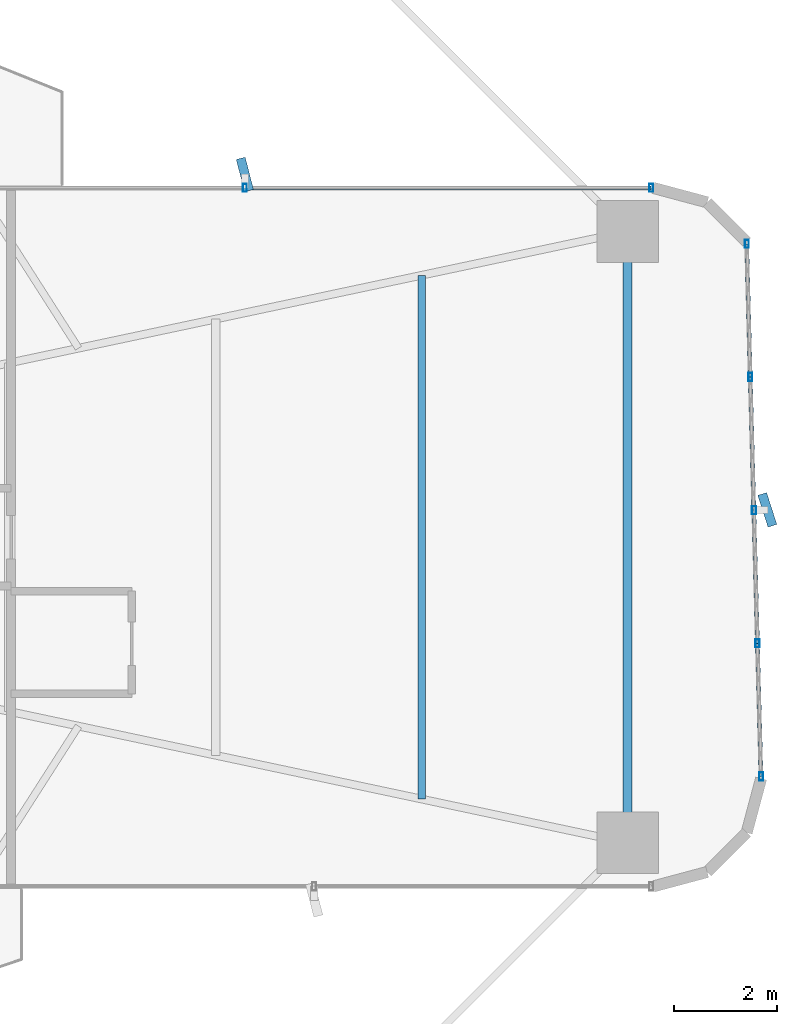
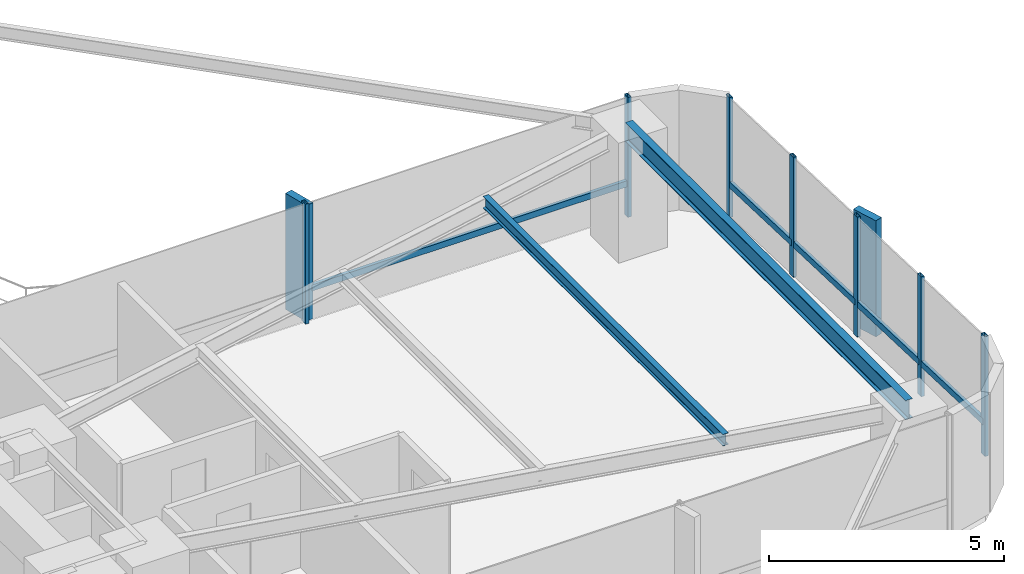
# One storey, part 16 of 25: 14 members, 2 beams, 2 elements without a shape of their own.
"""IFC4 building model written with IfcOpenShell, lengths in metres."""

from ifc_helpers import new_model, si_unit, direction, frame, origin, origin_2d, place, context, subcontext, project, spatial, rectangle, hollow_rectangle, i_section, extrude, source, transform, mapped, material, material_profile, profile_set, type_object, element, aggregate, save


model = new_model("IFC4")

# Units and contexts
model_context = context("Model", 3, precision=1e-05, world=origin(), true_north=direction((0.0, 1.0)))
body_context = subcontext(model_context, "Body", "Model", "MODEL_VIEW")
ifc_project = project(units=[si_unit("LENGTHUNIT", "METRE"), si_unit("AREAUNIT", "SQUARE_METRE"), si_unit("VOLUMEUNIT", "CUBIC_METRE"), si_unit("PLANEANGLEUNIT", "RADIAN"), si_unit("MASSUNIT", "GRAM", prefix="KILO")], contexts=[model_context])

# Site, building, storey
site_placement = place(None, origin())
site = spatial("IfcSite", under=ifc_project, at=site_placement, CompositionType="ELEMENT")
building_placement = place(site_placement, origin())
building = spatial("IfcBuilding", under=site, at=building_placement, Name="Sahyath Konkavel Grand Hotel", CompositionType="ELEMENT")
storey_placement = place(building_placement, frame((0.0, 0.0, 54.39990234375)))
storey = spatial("IfcBuildingStorey", under=building, at=storey_placement, Name="L14", CompositionType="ELEMENT", Elevation=54.39990234375)

# Beams
ifc_material_1 = material(Name="Steel E350", Category="steel")
ifc_material_profile_1 = material_profile(ifc_material_1, i_section(OverallWidth=0.179931640625, OverallDepth=0.5, WebThickness=0.01025390625, FlangeThickness=0.01708984375, FilletRadius=0.01708984375, at=origin_2d()), Name="ISMB 500")
ifc_profile_set_1 = profile_set([ifc_material_profile_1], Name="Steel E350")
beam_type_1 = type_object("IfcBeamType", Name="BM-ISMB500", PredefinedType="BEAM", material=ifc_profile_set_1)
shared_shape_1 = source(origin(), body_context, "Body", "SweptSolid", [
    extrude(i_section(OverallWidth=0.179931640625, OverallDepth=0.5, WebThickness=0.01025390625, FlangeThickness=0.01708984375, FilletRadius=0.01708984375, at=origin_2d()), origin(), (0.0, 0.0, 1.0), 11.89990234375),
])
beam_1_placement = place(storey_placement, frame((22.199951171875, -5.949951171875, 2.860107421875), z_axis=(0.0, 1.0, 0.0), x_axis=(-1.0, 0.0, 0.0)))
element("IfcBeam", 1, at=beam_1_placement, inside=storey, type_object=beam_type_1, Name="L14 Wing Tip Edge Beam E", PredefinedType="BEAM", context=body_context, shape_type="MappedRepresentation", body=[
    mapped(shared_shape_1, transform((0.0, 0.0, 0.0), scale=1.0)),
])
ifc_material_profile_2 = material_profile(ifc_material_1, i_section(OverallWidth=0.139892578125, OverallDepth=0.300048828125, WebThickness=0.0078125, FlangeThickness=0.01318359375, FilletRadius=0.013916015625, at=origin_2d()), Name="ISMB 300")
ifc_profile_set_2 = profile_set([ifc_material_profile_2], Name="Steel E350")
beam_type_2 = type_object("IfcBeamType", Name="BM-ISMB300", PredefinedType="BEAM", material=ifc_profile_set_2)
shared_shape_2 = source(origin(), body_context, "Body", "SweptSolid", [
    extrude(i_section(OverallWidth=0.139892578125, OverallDepth=0.300048828125, WebThickness=0.0078125, FlangeThickness=0.01318359375, FilletRadius=0.013916015625, at=origin_2d()), origin(), (0.0, 0.0, 1.0), 10.19580078125),
])
beam_2_placement = place(storey_placement, frame((18.19189453125, -5.097900390625, 2.960205078125), z_axis=(0.0, 1.0, 0.0), x_axis=(-1.0, 0.0, 0.0)))
element("IfcBeam", 2, at=beam_2_placement, inside=storey, type_object=beam_type_2, Name="L14 Secondary Floor Beam E-3", PredefinedType="BEAM", context=body_context, shape_type="MappedRepresentation", body=[
    mapped(shared_shape_2, transform((0.0, 0.0, 0.0), scale=1.0)),
])

# Curtain wall, member
ifc_material_2 = material(Name="Anodised Bronze Aluminium & Low-E Glazing", Category="aluminium")
curtain_wall_type = type_object("IfcCurtainWallType", Name="CW-ZONE1", PredefinedType="NOTDEFINED", material=ifc_material_2)
curtain_wall_1_placement = place(storey_placement, origin())
curtain_wall_1 = element("IfcCurtainWall", 3, at=curtain_wall_1_placement, inside=storey, type_object=curtain_wall_type, Name="L14 Unitised Curtain Wall F4", PredefinedType="NOTDEFINED")
ifc_material_3 = material(Name="Warm Buff Sandstone Cladding on Concrete C50/60", Category="masonry")
ifc_material_profile_3 = material_profile(ifc_material_3, rectangle(XDim=0.179931640625, YDim=0.64990234375, at=origin_2d()), Name="FIN 180x650")
ifc_profile_set_3 = profile_set([ifc_material_profile_3], Name="Warm Buff Sandstone Cladding on Concrete C50/60")
member_type_1 = type_object("IfcMemberType", Name="FIN-SANDSTONE-650", PredefinedType="MULLION", material=ifc_profile_set_3)
shared_shape_3 = source(origin(), body_context, "Body", "SweptSolid", [
    extrude(rectangle(XDim=0.179931640625, YDim=0.64990234375, at=origin_2d()), origin(), (0.0, 0.0, 1.0), 3.010009765625),
])
member_1_placement = place(storey_placement, frame((24.919189453125, 0.531982421875, 0.050048828125), z_axis=(0.0, 0.0, 1.0), x_axis=(0.952022626946, 0.306027642189, 0.0)))
member_1 = element("IfcMember", 4, at=member_1_placement, type_object=member_type_1, Name="L14 Sandstone Vertical Solar Fin FIN F4-2", PredefinedType="MULLION", context=body_context, shape_type="MappedRepresentation", body=[
    mapped(shared_shape_3, transform((0.0, 0.0, 0.0), scale=1.0)),
])

# Curtain wall, members
curtain_wall_2_placement = place(storey_placement, origin())
curtain_wall_2 = element("IfcCurtainWall", 5, at=curtain_wall_2_placement, inside=storey, type_object=curtain_wall_type, Name="L14 Unitised Curtain Wall F7", PredefinedType="NOTDEFINED")
member_2_placement = place(storey_placement, frame((14.75, 7.06005859375, 0.050048828125), z_axis=(0.0, 0.0, 1.0), x_axis=(0.96862655095, 0.248520833726, 0.0)))
member_2 = element("IfcMember", 6, at=member_2_placement, type_object=member_type_1, Name="L14 Sandstone Vertical Solar Fin FIN F7-1", PredefinedType="MULLION", context=body_context, shape_type="MappedRepresentation", body=[
    mapped(shared_shape_3, transform((0.0, 0.0, 0.0), scale=1.0)),
])
ifc_material_4 = material(Name="Anodised Bronze Aluminium", Category="aluminium")
ifc_material_profile_4 = material_profile(ifc_material_4, hollow_rectangle(XDim=0.080078125, YDim=0.159912109375, WallThickness=0.006103515625, at=origin_2d()), Name="RHS 160x80x6")
ifc_profile_set_4 = profile_set([ifc_material_profile_4], Name="Anodised Bronze Aluminium")
member_type_2 = type_object("IfcMemberType", Name="CW-TRN-160", PredefinedType="USERDEFINED", material=ifc_profile_set_4)
shared_shape_4 = source(origin(), body_context, "Body", "SweptSolid", [
    extrude(hollow_rectangle(XDim=0.080078125, YDim=0.159912109375, WallThickness=0.006103515625, at=origin_2d()), origin(), (0.0, 0.0, 1.0), 7.909912109375),
])
member_3_placement = place(storey_placement, frame((22.659912109375, 6.800048828125, 0.85009765625), z_axis=(-1.0, 0.0, 0.0), x_axis=(0.0, -1.0, 0.0)))
member_3 = element("IfcMember", 7, at=member_3_placement, type_object=member_type_2, Name="L14 Curtain Wall Transom F7-0-spandrel", ObjectType="TRANSOM", PredefinedType="USERDEFINED", context=body_context, shape_type="MappedRepresentation", body=[
    mapped(shared_shape_4, transform((0.0, 0.0, 0.0), scale=1.0)),
])

# Member
shared_shape_5 = source(origin(), body_context, "Body", "SweptSolid", [
    extrude(hollow_rectangle(XDim=0.080078125, YDim=0.159912109375, WallThickness=0.006103515625, at=origin_2d()), origin(), (0.0, 0.0, 1.0), 2.593505859375),
])
member_4_placement = place(storey_placement, frame((24.798828125, -4.659912109375, 0.85009765625), z_axis=(-0.026923093252, 0.999637507825, 0.0), x_axis=(-0.999637507825, -0.026923093252, 0.0)))
member_4 = element("IfcMember", 8, at=member_4_placement, type_object=member_type_2, Name="L14 Curtain Wall Transom F4-0-spandrel", ObjectType="TRANSOM", PredefinedType="USERDEFINED", context=body_context, shape_type="MappedRepresentation", body=[
    mapped(shared_shape_5, transform((0.0, 0.0, 0.0), scale=1.0)),
])

member_5_placement = place(storey_placement, frame((24.6591796875, 0.52490234375, 0.85009765625), z_axis=(-0.02682902444, 0.999640036937, 0.0), x_axis=(-0.999640036937, -0.02682902444, 0.0)))
member_5 = element("IfcMember", 9, at=member_5_placement, type_object=member_type_2, Name="L14 Curtain Wall Transom F4-2-spandrel", ObjectType="TRANSOM", PredefinedType="USERDEFINED", context=body_context, shape_type="MappedRepresentation", body=[
    mapped(shared_shape_5, transform((0.0, 0.0, 0.0), scale=1.0)),
])

member_6_placement = place(storey_placement, frame((24.589599609375, 3.117431640625, 0.85009765625), z_axis=(-0.026923093252, 0.999637507825, 0.0), x_axis=(-0.999637507825, -0.026923093252, 0.0)))
member_6 = element("IfcMember", 10, at=member_6_placement, type_object=member_type_2, Name="L14 Curtain Wall Transom F4-3-spandrel", ObjectType="TRANSOM", PredefinedType="USERDEFINED", context=body_context, shape_type="MappedRepresentation", body=[
    mapped(shared_shape_5, transform((0.0, 0.0, 0.0), scale=1.0)),
])

shared_shape_6 = source(origin(), body_context, "Body", "SweptSolid", [
    extrude(hollow_rectangle(XDim=0.080078125, YDim=0.159912109375, WallThickness=0.006103515625, at=origin_2d()), origin(), (0.0, 0.0, 1.0), 2.59326171875),
])
member_7_placement = place(storey_placement, frame((24.72900390625, -2.0673828125, 0.85009765625), z_axis=(-0.026925627022, 0.99963743958, 0.0), x_axis=(-0.99963743958, -0.026925627022, 0.0)))
member_7 = element("IfcMember", 11, at=member_7_placement, type_object=member_type_2, Name="L14 Curtain Wall Transom F4-1-spandrel", ObjectType="TRANSOM", PredefinedType="USERDEFINED", context=body_context, shape_type="MappedRepresentation", body=[
    mapped(shared_shape_6, transform((0.0, 0.0, 0.0), scale=1.0)),
])

ifc_material_profile_5 = material_profile(ifc_material_4, hollow_rectangle(XDim=0.080078125, YDim=0.159912109375, WallThickness=0.006103515625, at=origin_2d()), Name="RHS 160x80x6")
ifc_profile_set_5 = profile_set([ifc_material_profile_5], Name="Anodised Bronze Aluminium")
member_type_3 = type_object("IfcMemberType", Name="CW-MUL-160", PredefinedType="MULLION", material=ifc_profile_set_5)
shared_shape_7 = source(origin(), body_context, "Body", "SweptSolid", [
    extrude(hollow_rectangle(XDim=0.080078125, YDim=0.159912109375, WallThickness=0.006103515625, at=origin_2d()), origin(), (0.0, 0.0, 1.0), 3.110107421875),
])
member_8_placement = place(storey_placement, frame((24.798828125, -4.659912109375, 0.0), z_axis=(0.0, 0.0, 1.0), x_axis=(1.0, 0.0, 0.0)))
member_8 = element("IfcMember", 12, at=member_8_placement, type_object=member_type_3, Name="L14 Curtain Wall Mullion F4-0", PredefinedType="MULLION", context=body_context, shape_type="MappedRepresentation", body=[
    mapped(shared_shape_7, transform((0.0, 0.0, 0.0), scale=1.0)),
])

member_9_placement = place(storey_placement, frame((24.72900390625, -2.0673828125, 0.0), z_axis=(0.0, 0.0, 1.0), x_axis=(1.0, 0.0, 0.0)))
member_9 = element("IfcMember", 13, at=member_9_placement, type_object=member_type_3, Name="L14 Curtain Wall Mullion F4-1", PredefinedType="MULLION", context=body_context, shape_type="MappedRepresentation", body=[
    mapped(shared_shape_7, transform((0.0, 0.0, 0.0), scale=1.0)),
])

member_10_placement = place(storey_placement, frame((24.6591796875, 0.52490234375, 0.0), z_axis=(0.0, 0.0, 1.0), x_axis=(1.0, 0.0, 0.0)))
member_10 = element("IfcMember", 14, at=member_10_placement, type_object=member_type_3, Name="L14 Curtain Wall Mullion F4-2", PredefinedType="MULLION", context=body_context, shape_type="MappedRepresentation", body=[
    mapped(shared_shape_7, transform((0.0, 0.0, 0.0), scale=1.0)),
])

member_11_placement = place(storey_placement, frame((24.589599609375, 3.117431640625, 0.0), z_axis=(0.0, 0.0, 1.0), x_axis=(1.0, 0.0, 0.0)))
member_11 = element("IfcMember", 15, at=member_11_placement, type_object=member_type_3, Name="L14 Curtain Wall Mullion F4-3", PredefinedType="MULLION", context=body_context, shape_type="MappedRepresentation", body=[
    mapped(shared_shape_7, transform((0.0, 0.0, 0.0), scale=1.0)),
])

member_12_placement = place(storey_placement, frame((24.519775390625, 5.7099609375, 0.0), z_axis=(0.0, 0.0, 1.0), x_axis=(1.0, 0.0, 0.0)))
member_12 = element("IfcMember", 16, at=member_12_placement, type_object=member_type_3, Name="L14 Curtain Wall Mullion F4-4", PredefinedType="MULLION", context=body_context, shape_type="MappedRepresentation", body=[
    mapped(shared_shape_7, transform((0.0, 0.0, 0.0), scale=1.0)),
])

aggregate(curtain_wall_1, [member_8, member_9, member_10, member_1, member_11, member_12, member_4, member_7, member_5, member_6])

member_13_placement = place(storey_placement, frame((22.659912109375, 6.800048828125, 0.0), z_axis=(0.0, 0.0, 1.0), x_axis=(1.0, 0.0, 0.0)))
member_13 = element("IfcMember", 17, at=member_13_placement, type_object=member_type_3, Name="L14 Curtain Wall Mullion F7-0", PredefinedType="MULLION", context=body_context, shape_type="MappedRepresentation", body=[
    mapped(shared_shape_7, transform((0.0, 0.0, 0.0), scale=1.0)),
])

member_14_placement = place(storey_placement, frame((14.75, 6.800048828125, 0.0), z_axis=(0.0, 0.0, 1.0), x_axis=(1.0, 0.0, 0.0)))
member_14 = element("IfcMember", 18, at=member_14_placement, type_object=member_type_3, Name="L14 Curtain Wall Mullion F7-1", PredefinedType="MULLION", context=body_context, shape_type="MappedRepresentation", body=[
    mapped(shared_shape_7, transform((0.0, 0.0, 0.0), scale=1.0)),
])

aggregate(curtain_wall_2, [member_13, member_14, member_2, member_3])

save(model, "model.ifc")
